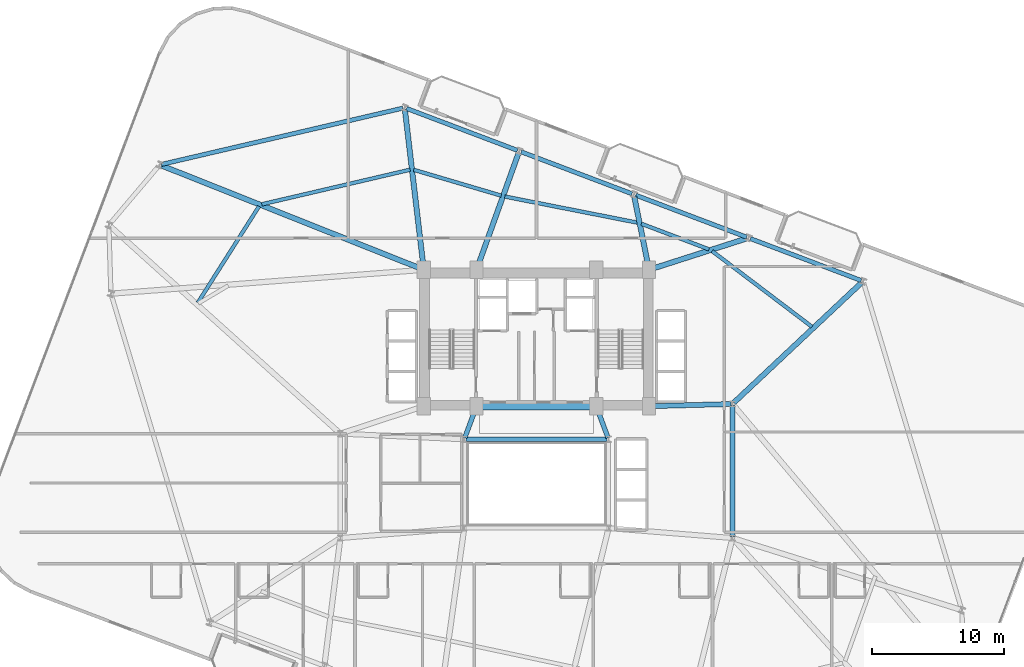
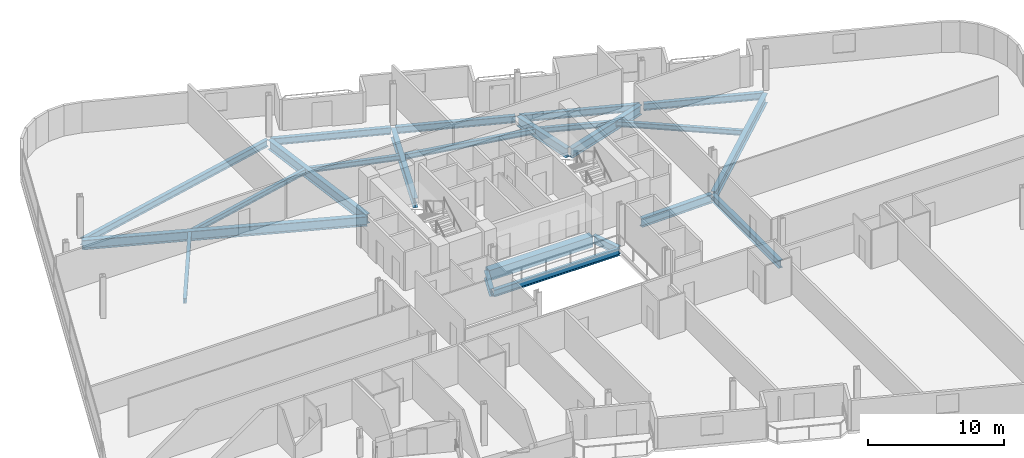
# One storey, part 9 of 25: 23 beams.
"""IFC4 building model written with IfcOpenShell, lengths in metres."""

from ifc_helpers import new_model, si_unit, direction, frame, origin, origin_2d, place, context, subcontext, project, spatial, rectangle, i_section, extrude, material, material_profile, profile_set, type_object, element, save


model = new_model("IFC4")

# Units and contexts
model_context = context("Model", 3, precision=1e-05, world=origin(), true_north=direction((0.0, 1.0)))
body_context = subcontext(model_context, "Body", "Model", "MODEL_VIEW")
ifc_project = project(units=[si_unit("LENGTHUNIT", "METRE"), si_unit("AREAUNIT", "SQUARE_METRE"), si_unit("VOLUMEUNIT", "CUBIC_METRE"), si_unit("PLANEANGLEUNIT", "RADIAN"), si_unit("MASSUNIT", "GRAM", prefix="KILO")], contexts=[model_context])

# Site, building, storey
site_placement = place(None, origin())
site = spatial("IfcSite", under=ifc_project, at=site_placement, CompositionType="ELEMENT")
building_placement = place(site_placement, origin())
building = spatial("IfcBuilding", under=site, at=building_placement, Name="Varnelok Gate Tower", CompositionType="ELEMENT")
storey_placement = place(building_placement, frame((0.0, 0.0, 83.60009765625)))
storey = spatial("IfcBuildingStorey", under=building, at=storey_placement, Name="L20", CompositionType="ELEMENT", Elevation=83.60009765625)

# Beams
ifc_material_1 = material(Name="Structural Steel ASTM A992 Grade 50", Category="steel")
ifc_material_profile_1 = material_profile(ifc_material_1, i_section(OverallWidth=0.280029296875, OverallDepth=0.462890625, WebThickness=0.0107421875, FlangeThickness=0.017333984375, FilletRadius=0.014892578125, at=origin_2d()), Name="W18X76")
ifc_profile_set_1 = profile_set([ifc_material_profile_1], Name="Structural Steel ASTM A992 Grade 50")
beam_type_1 = type_object("IfcBeamType", Name="BM-JST-W18X76", PredefinedType="JOIST", material=ifc_profile_set_1)
beam_1_placement = place(storey_placement, frame((60.0009765625, 34.748046875, -0.481689453125), z_axis=(-0.79692789386, 0.604074442423, 0.0), x_axis=(-0.604074442423, -0.79692789386, 0.0)))
element("IfcBeam", 1, at=beam_1_placement, inside=storey, type_object=beam_type_1, Name="L20 Sector Floor Joist 7", PredefinedType="JOIST", context=body_context, shape_type="SweptSolid", body=[
    extrude(i_section(OverallWidth=0.280029296875, OverallDepth=0.462890625, WebThickness=0.0107421875, FlangeThickness=0.017333984375, FilletRadius=0.014892578125, at=origin_2d()), origin(), (0.0, 0.0, 1.0), 9.4541015625),
])
beam_2_placement = place(storey_placement, frame((52.22412109375, 40.593017578125, -0.481689453125), z_axis=(-0.935220980755, 0.354064566365, 0.0), x_axis=(-0.354064566365, -0.935220980755, 0.0)))
element("IfcBeam", 2, at=beam_2_placement, inside=storey, type_object=beam_type_1, Name="L20 Sector Floor Joist 8", PredefinedType="JOIST", context=body_context, shape_type="SweptSolid", body=[
    extrude(i_section(OverallWidth=0.280029296875, OverallDepth=0.462890625, WebThickness=0.0107421875, FlangeThickness=0.017333984375, FilletRadius=0.014892578125, at=origin_2d()), origin(), (0.0, 0.0, 1.0), 5.454833984375),
])
beam_3_placement = place(storey_placement, frame((46.854248046875, 42.60107421875, -0.481689453125), z_axis=(-0.981158351335, 0.19320530429, 0.0), x_axis=(-0.19320530429, -0.981158351335, 0.0)))
element("IfcBeam", 3, at=beam_3_placement, inside=storey, type_object=beam_type_1, Name="L20 Sector Floor Joist 9", PredefinedType="JOIST", context=body_context, shape_type="SweptSolid", body=[
    extrude(i_section(OverallWidth=0.280029296875, OverallDepth=0.462890625, WebThickness=0.0107421875, FlangeThickness=0.017333984375, FilletRadius=0.014892578125, at=origin_2d()), origin(), (0.0, 0.0, 1.0), 10.22900390625),
])
beam_4_placement = place(storey_placement, frame((36.546142578125, 44.644287109375, -0.481689453125), z_axis=(-0.959055124107, 0.283219471303, 0.0), x_axis=(-0.283219471303, -0.959055124107, 0.0)))
element("IfcBeam", 4, at=beam_4_placement, inside=storey, type_object=beam_type_1, Name="L20 Sector Floor Joist 10", PredefinedType="JOIST", context=body_context, shape_type="SweptSolid", body=[
    extrude(i_section(OverallWidth=0.280029296875, OverallDepth=0.462890625, WebThickness=0.0107421875, FlangeThickness=0.017333984375, FilletRadius=0.014892578125, at=origin_2d()), origin(), (0.0, 0.0, 1.0), 6.88916015625),
])
beam_5_placement = place(storey_placement, frame((29.668212890625, 46.603515625, -0.481689453125), z_axis=(-0.973874887524, -0.227085233889, 0.0), x_axis=(0.227085233889, -0.973874887524, 0.0)))
element("IfcBeam", 5, at=beam_5_placement, inside=storey, type_object=beam_type_1, Name="L20 Sector Floor Joist 11", PredefinedType="JOIST", context=body_context, shape_type="SweptSolid", body=[
    extrude(i_section(OverallWidth=0.280029296875, OverallDepth=0.462890625, WebThickness=0.0107421875, FlangeThickness=0.017333984375, FilletRadius=0.014892578125, at=origin_2d()), origin(), (0.0, 0.0, 1.0), 11.492919921875),
])
beam_6_placement = place(storey_placement, frame((18.26416015625, 43.843505859375, -0.481689453125), z_axis=(-0.536093298617, -0.84415873814, 0.0), x_axis=(0.84415873814, -0.536093298617, 0.0)))
element("IfcBeam", 6, at=beam_6_placement, inside=storey, type_object=beam_type_1, Name="L20 Sector Floor Joist 12", PredefinedType="JOIST", context=body_context, shape_type="SweptSolid", body=[
    extrude(i_section(OverallWidth=0.280029296875, OverallDepth=0.462890625, WebThickness=0.0107421875, FlangeThickness=0.017333984375, FilletRadius=0.014892578125, at=origin_2d()), origin(), (0.0, 0.0, 1.0), 8.626220703125),
])
ifc_material_2 = material(Name="Concrete C60/75", Category="concrete")
ifc_material_profile_2 = material_profile(ifc_material_2, rectangle(XDim=0.60009765625, YDim=0.949951171875, at=origin_2d()), Name="RC950X600")
ifc_profile_set_2 = profile_set([ifc_material_profile_2], Name="Concrete C60/75")
beam_type_2 = type_object("IfcBeamType", Name="BM-LNT-RC950", PredefinedType="LINTEL", material=ifc_profile_set_2)
beam_7_placement = place(storey_placement, frame((34.800048828125, 28.75, -0.72509765625), z_axis=(1.0, 0.0, 0.0), x_axis=(0.0, 1.0, 0.0)))
element("IfcBeam", 7, at=beam_7_placement, inside=storey, type_object=beam_type_2, Name="L20 Core-Atrium Spine Beam 7", PredefinedType="LINTEL", context=body_context, shape_type="SweptSolid", body=[
    extrude(rectangle(XDim=0.60009765625, YDim=0.949951171875, at=origin_2d()), origin(), (0.0, 0.0, 1.0), 8.800048828125),
])
ifc_material_profile_3 = material_profile(ifc_material_1, i_section(OverallWidth=0.35498046875, OverallDepth=0.696044921875, WebThickness=0.015380859375, FlangeThickness=0.02490234375, FilletRadius=0.02001953125, at=origin_2d()), Name="W27X146")
ifc_profile_set_3 = profile_set([ifc_material_profile_3], Name="Structural Steel ASTM A992 Grade 50")
beam_type_3 = type_object("IfcBeamType", Name="BM-PRI-W27X146", PredefinedType="BEAM", material=ifc_profile_set_3)
for number, where, z_axis, x_axis, name in (
    (8, (33.791748046875, 26.362548828125, -0.59814453125), (0.348719329408, 0.937227202602, 0.0), (-0.937227202602, 0.348719329408, 0.0), "L20 Core-Atrium Spine Beam 12"),
    (9, (44.608154296875, 26.362548828125, -0.59814453125), (-0.348719329408, 0.937227202602, 0.0), (-0.937227202602, -0.348719329408, 0.0), "L20 Core-Atrium Spine Beam 13"),
):
    element("IfcBeam", number, at=place(storey_placement, frame(where, z_axis=z_axis, x_axis=x_axis)), inside=storey, type_object=beam_type_3, Name=name, PredefinedType="BEAM", context=body_context, shape_type="SweptSolid", body=[
        extrude(i_section(OverallWidth=0.35498046875, OverallDepth=0.696044921875, WebThickness=0.015380859375, FlangeThickness=0.02490234375, FilletRadius=0.02001953125, at=origin_2d()), origin(), (0.0, 0.0, 1.0), 2.42724609375),
    ])
beam_8_placement = place(storey_placement, frame((54.0, 18.919921875, -0.59814453125), z_axis=(0.0, 1.0, 0.0), x_axis=(-1.0, 0.0, 0.0)))
element("IfcBeam", 10, at=beam_8_placement, inside=storey, type_object=beam_type_3, Name="L20 Core-Atrium Spine Beam 20", PredefinedType="BEAM", context=body_context, shape_type="SweptSolid", body=[
    extrude(i_section(OverallWidth=0.35498046875, OverallDepth=0.696044921875, WebThickness=0.015380859375, FlangeThickness=0.02490234375, FilletRadius=0.02001953125, at=origin_2d()), origin(), (0.0, 0.0, 1.0), 9.880126953125),
])
ifc_material_profile_4 = material_profile(ifc_material_1, i_section(OverallWidth=0.381103515625, OverallDepth=0.77294921875, WebThickness=0.0166015625, FlangeThickness=0.027099609375, FilletRadius=0.02197265625, at=origin_2d()), Name="W30X173")
ifc_profile_set_4 = profile_set([ifc_material_profile_4], Name="Structural Steel ASTM A992 Grade 50")
beam_type_4 = type_object("IfcBeamType", Name="BM-PRI-W30X173", PredefinedType="BEAM", material=ifc_profile_set_4)
beam_9_placement = place(storey_placement, frame((47.820068359375, 28.753173828125, -0.63671875), z_axis=(0.999635880609, 0.026983443053, 0.0), x_axis=(-0.026983443053, 0.999635880609, 0.0)))
element("IfcBeam", 11, at=beam_9_placement, inside=storey, type_object=beam_type_4, Name="L20 Core-Atrium Spine Beam 19", PredefinedType="BEAM", context=body_context, shape_type="SweptSolid", body=[
    extrude(i_section(OverallWidth=0.381103515625, OverallDepth=0.77294921875, WebThickness=0.0166015625, FlangeThickness=0.027099609375, FilletRadius=0.02197265625, at=origin_2d()), origin(), (0.0, 0.0, 1.0), 6.06201171875),
])
ifc_material_profile_5 = material_profile(ifc_material_1, i_section(OverallWidth=0.39892578125, OverallDepth=0.85498046875, WebThickness=0.018310546875, FlangeThickness=0.029296875, FilletRadius=0.02392578125, at=origin_2d()), Name="W33X201")
ifc_profile_set_5 = profile_set([ifc_material_profile_5], Name="Structural Steel ASTM A992 Grade 50")
beam_type_5 = type_object("IfcBeamType", Name="BM-PRI-W33X201", PredefinedType="BEAM", material=ifc_profile_set_5)
beam_10_placement = place(storey_placement, frame((54.109375, 29.022705078125, -0.677490234375), z_axis=(0.728763782129, 0.684765178624, 0.0), x_axis=(-0.684765178624, 0.728763782129, 0.0)))
element("IfcBeam", 12, at=beam_10_placement, inside=storey, type_object=beam_type_5, Name="L20 Radial Floor Girder 9", PredefinedType="BEAM", context=body_context, shape_type="SweptSolid", body=[
    extrude(i_section(OverallWidth=0.39892578125, OverallDepth=0.85498046875, WebThickness=0.018310546875, FlangeThickness=0.029296875, FilletRadius=0.02392578125, at=origin_2d()), origin(), (0.0, 0.0, 1.0), 13.228515625),
])
beam_11_placement = place(storey_placement, frame((47.8427734375, 39.095703125, -0.677490234375), z_axis=(0.952189173648, 0.305509046656, 0.0), x_axis=(-0.305509046656, 0.952189173648, 0.0)))
element("IfcBeam", 13, at=beam_11_placement, inside=storey, type_object=beam_type_5, Name="L20 Radial Floor Girder 10", PredefinedType="BEAM", context=body_context, shape_type="SweptSolid", body=[
    extrude(i_section(OverallWidth=0.39892578125, OverallDepth=0.85498046875, WebThickness=0.018310546875, FlangeThickness=0.029296875, FilletRadius=0.02392578125, at=origin_2d()), origin(), (0.0, 0.0, 1.0), 7.585205078125),
])
beam_12_placement = place(storey_placement, frame((47.67041015625, 39.197021484375, -0.677490234375), z_axis=(-0.19708105208, 0.980387198463, 0.0), x_axis=(-0.980387198463, -0.19708105208, 0.0)))
element("IfcBeam", 14, at=beam_12_placement, inside=storey, type_object=beam_type_5, Name="L20 Radial Floor Girder 11", PredefinedType="BEAM", context=body_context, shape_type="SweptSolid", body=[
    extrude(i_section(OverallWidth=0.39892578125, OverallDepth=0.85498046875, WebThickness=0.018310546875, FlangeThickness=0.029296875, FilletRadius=0.02392578125, at=origin_2d()), origin(), (0.0, 0.0, 1.0), 5.497802734375),
])
beam_13_placement = place(storey_placement, frame((34.730712890625, 39.191162109375, -0.677490234375), z_axis=(0.338850703631, 0.940840156801, 0.0), x_axis=(-0.940840156801, 0.338850703631, 0.0)))
element("IfcBeam", 15, at=beam_13_placement, inside=storey, type_object=beam_type_5, Name="L20 Radial Floor Girder 12", PredefinedType="BEAM", context=body_context, shape_type="SweptSolid", body=[
    extrude(i_section(OverallWidth=0.39892578125, OverallDepth=0.85498046875, WebThickness=0.018310546875, FlangeThickness=0.029296875, FilletRadius=0.02392578125, at=origin_2d()), origin(), (0.0, 0.0, 1.0), 9.222412109375),
])
beam_14_placement = place(storey_placement, frame((30.682373046875, 39.198974609375, -0.677490234375), z_axis=(-0.117226632165, 0.993105189147, 0.0), x_axis=(-0.993105189147, -0.117226632165, 0.0)))
element("IfcBeam", 16, at=beam_14_placement, inside=storey, type_object=beam_type_5, Name="L20 Radial Floor Girder 13", PredefinedType="BEAM", context=body_context, shape_type="SweptSolid", body=[
    extrude(i_section(OverallWidth=0.39892578125, OverallDepth=0.85498046875, WebThickness=0.018310546875, FlangeThickness=0.029296875, FilletRadius=0.02392578125, at=origin_2d()), origin(), (0.0, 0.0, 1.0), 12.018798828125),
])
beam_15_placement = place(storey_placement, frame((30.560546875, 39.10546875, -0.677490234375), z_axis=(-0.929316441243, 0.369284378271, 0.0), x_axis=(-0.369284378271, -0.929316441243, 0.0)))
element("IfcBeam", 17, at=beam_15_placement, inside=storey, type_object=beam_type_5, Name="L20 Radial Floor Girder 14", PredefinedType="BEAM", context=body_context, shape_type="SweptSolid", body=[
    extrude(i_section(OverallWidth=0.39892578125, OverallDepth=0.85498046875, WebThickness=0.018310546875, FlangeThickness=0.029296875, FilletRadius=0.02392578125, at=origin_2d()), origin(), (0.0, 0.0, 1.0), 21.153076171875),
])
ifc_material_profile_6 = material_profile(ifc_material_1, i_section(OverallWidth=0.323974609375, OverallDepth=0.611083984375, WebThickness=0.0126953125, FlangeThickness=0.01904296875, FilletRadius=0.01806640625, at=origin_2d()), Name="W24X104")
ifc_profile_set_6 = profile_set([ifc_material_profile_6], Name="Structural Steel ASTM A992 Grade 50")
beam_type_6 = type_object("IfcBeamType", Name="BM-SPN-W24X104", PredefinedType="SPANDREL", material=ifc_profile_set_6)
beam_16_placement = place(storey_placement, frame((33.8701171875, 26.25, -0.5556640625), z_axis=(1.0, 0.0, 0.0), x_axis=(0.0, 1.0, 0.0)))
element("IfcBeam", 18, at=beam_16_placement, inside=storey, type_object=beam_type_6, Name="L20 Core-Atrium Spine Beam 9", PredefinedType="SPANDREL", context=body_context, shape_type="SweptSolid", body=[
    extrude(i_section(OverallWidth=0.323974609375, OverallDepth=0.611083984375, WebThickness=0.0126953125, FlangeThickness=0.01904296875, FilletRadius=0.01806640625, at=origin_2d()), origin(), (0.0, 0.0, 1.0), 10.659912109375),
])
beam_17_placement = place(storey_placement, frame((63.71875, 38.23681640625, -0.5556640625), z_axis=(-0.935220356141, 0.354066216208, 0.0), x_axis=(-0.354066216208, -0.935220356141, 0.0)))
element("IfcBeam", 19, at=beam_17_placement, inside=storey, type_object=beam_type_6, Name="L20 Perimeter Spandrel Beam 9", PredefinedType="SPANDREL", context=body_context, shape_type="SweptSolid", body=[
    extrude(i_section(OverallWidth=0.323974609375, OverallDepth=0.611083984375, WebThickness=0.0126953125, FlangeThickness=0.01904296875, FilletRadius=0.01806640625, at=origin_2d()), origin(), (0.0, 0.0, 1.0), 8.9501953125),
])
for number, where, z_axis, x_axis, name in (
    (20, (55.06787109375, 41.511962890625, -0.5556640625), (-0.935216936382, 0.354075248928, 0.0), (-0.354075248928, -0.935216936382, 0.0), "L20 Perimeter Spandrel Beam 10"),
    (21, (46.4169921875, 44.787109375, -0.5556640625), (-0.935225969099, 0.354051389947, 0.0), (-0.354051389947, -0.935225969099, 0.0), "L20 Perimeter Spandrel Beam 11"),
):
    element("IfcBeam", number, at=place(storey_placement, frame(where, z_axis=z_axis, x_axis=x_axis)), inside=storey, type_object=beam_type_6, Name=name, PredefinedType="SPANDREL", context=body_context, shape_type="SweptSolid", body=[
        extrude(i_section(OverallWidth=0.323974609375, OverallDepth=0.611083984375, WebThickness=0.0126953125, FlangeThickness=0.01904296875, FilletRadius=0.01806640625, at=origin_2d()), origin(), (0.0, 0.0, 1.0), 8.949951171875),
    ])
beam_18_placement = place(storey_placement, frame((37.766357421875, 48.06201171875, -0.5556640625), z_axis=(-0.935220356141, 0.354066216208, 0.0), x_axis=(-0.354066216208, -0.935220356141, 0.0)))
element("IfcBeam", 22, at=beam_18_placement, inside=storey, type_object=beam_type_6, Name="L20 Perimeter Spandrel Beam 12", PredefinedType="SPANDREL", context=body_context, shape_type="SweptSolid", body=[
    extrude(i_section(OverallWidth=0.323974609375, OverallDepth=0.611083984375, WebThickness=0.0126953125, FlangeThickness=0.01904296875, FilletRadius=0.01806640625, at=origin_2d()), origin(), (0.0, 0.0, 1.0), 8.9501953125),
])
beam_19_placement = place(storey_placement, frame((29.109619140625, 51.25, -0.5556640625), z_axis=(-0.973877429001, -0.227074334266, 0.0), x_axis=(0.227074334266, -0.973877429001, 0.0)))
element("IfcBeam", 23, at=beam_19_placement, inside=storey, type_object=beam_type_6, Name="L20 Perimeter Spandrel Beam 13", PredefinedType="SPANDREL", context=body_context, shape_type="SweptSolid", body=[
    extrude(i_section(OverallWidth=0.323974609375, OverallDepth=0.611083984375, WebThickness=0.0126953125, FlangeThickness=0.01904296875, FilletRadius=0.01806640625, at=origin_2d()), origin(), (0.0, 0.0, 1.0), 18.6884765625),
])

save(model, "model.ifc")
